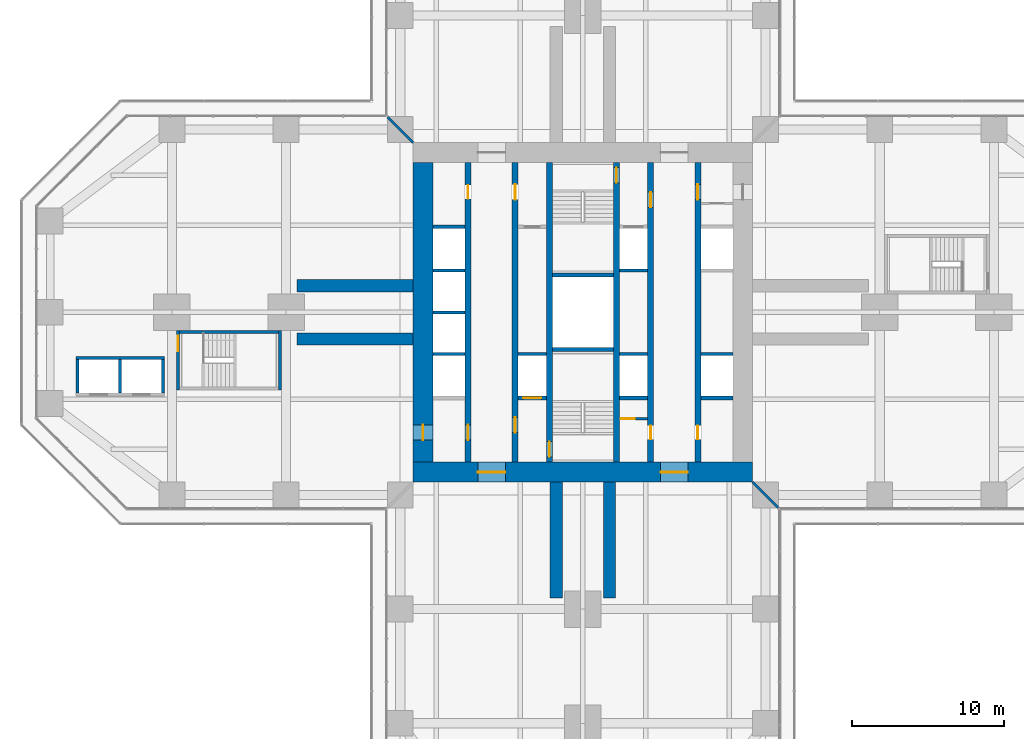
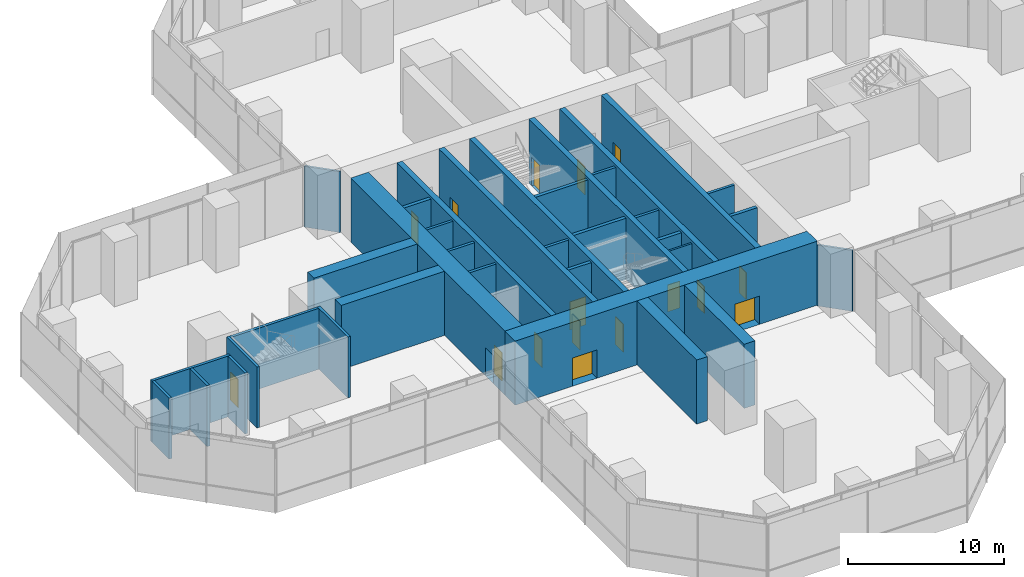
# One storey, part 17 of 23: 35 walls, 16 doors, 16 openings.
"""IFC4 building model written with IfcOpenShell, lengths in metres."""

from ifc_helpers import new_model, si_unit, direction, frame, frame_2d, origin, place, context, subcontext, project, spatial, rectangle, extrude, material, layer, layer_set, type_object, element, fill, save


model = new_model("IFC4")

# Units and contexts
model_context = context("Model", 3, precision=1e-05, world=origin(), true_north=direction((0.0, 1.0)))
body_context = subcontext(model_context, "Body", "Model", "MODEL_VIEW")
ifc_project = project(units=[si_unit("LENGTHUNIT", "METRE"), si_unit("AREAUNIT", "SQUARE_METRE"), si_unit("VOLUMEUNIT", "CUBIC_METRE"), si_unit("PLANEANGLEUNIT", "RADIAN"), si_unit("MASSUNIT", "GRAM", prefix="KILO")], contexts=[model_context])

# Site, building, storey
site_placement = place(None, origin())
site = spatial("IfcSite", under=ifc_project, at=site_placement, CompositionType="ELEMENT")
building_placement = place(site_placement, origin())
building = spatial("IfcBuilding", under=site, at=building_placement, Name="Mizan Broadcast Tower", CompositionType="ELEMENT")
storey_placement = place(building_placement, frame((0.0, 0.0, 28.0)))
storey = spatial("IfcBuildingStorey", under=building, at=storey_placement, Name="L04", CompositionType="ELEMENT", Elevation=28.0)

# Wall, openings, doors
ifc_material_1 = material(Name="Concrete C70/85", Category="concrete")
ifc_layer_1 = layer(ifc_material_1, 0.39990234375)
ifc_layer_set_1 = layer_set([ifc_layer_1], Name="Concrete C70/85")
wall_type_1 = type_object("IfcWallType", Name="CORE INTERNAL WALL 400", PredefinedType="SHEAR", material=ifc_layer_set_1)
wall_1_placement = place(storey_placement, frame((-7.550048828125, -9.85009765625, 0.0), z_axis=(0.0, 0.0, 1.0), x_axis=(0.0, 1.0, 0.0)))
wall_1 = element("IfcWall", 1, at=wall_1_placement, inside=storey, type_object=wall_type_1, Name="Core wall CORE/XW1", PredefinedType="SHEAR", context=body_context, shape_type="SweptSolid", body=[
    extrude(rectangle(XDim=19.7001953125, YDim=0.39990234375, at=frame_2d((9.85009765625, 0.0))), origin(), (0.0, 0.0, 1.0), 5.0),
])
opening_1_placement = place(wall_1_placement, frame((1.449951171875, 0.0, 0.0)))
opening_1 = element("IfcOpeningElement", 2, at=opening_1_placement, cuts=wall_1, Name="Opening D10F", PredefinedType="OPENING", context=body_context, shape_type="SweptSolid", body=[
    extrude(rectangle(XDim=1.0, YDim=2.199951171875, at=frame_2d((0.5, 1.10009765625))), frame((0.0, 0.2099609375, 0.0), z_axis=(0.0, -1.0, 0.0), x_axis=(1.0, 0.0, 0.0)), (0.0, 0.0, 1.0), 0.419921875),
])
opening_2_placement = place(wall_1_placement, frame((17.300048828125, 0.0, 0.0)))
opening_2 = element("IfcOpeningElement", 3, at=opening_2_placement, cuts=wall_1, Name="Opening D09", PredefinedType="OPENING", context=body_context, shape_type="SweptSolid", body=[
    extrude(rectangle(XDim=0.89990234375, YDim=2.10009765625, at=frame_2d((0.449951171875, 1.050048828125))), frame((0.0, 0.2099609375, 0.0), z_axis=(0.0, -1.0, 0.0), x_axis=(1.0, 0.0, 0.0)), (0.0, 0.0, 1.0), 0.419921875),
])
ifc_material_2 = material(Name="Steel door leaf in steel frame", Category="steel")
door_type_1 = type_object("IfcDoorType", Name="FIRE DOOR 1000 FD90", OperationType="SINGLE_SWING_LEFT", PredefinedType="DOOR", material=ifc_material_2)
door_1_placement = place(opening_1_placement, origin())
door_1 = element("IfcDoor", 4, at=door_1_placement, inside=storey, type_object=door_type_1, Name="West core passage door", OperationType="SINGLE_SWING_LEFT", OverallHeight=2.199951171875, OverallWidth=1.0, PredefinedType="DOOR", context=body_context, shape_type="SweptSolid", body=[
    extrude(rectangle(XDim=1.0, YDim=2.199951171875, at=frame_2d((0.5, 1.10009765625))), frame((0.0, 0.02490234375, 0.0), z_axis=(0.0, -1.0, 0.0), x_axis=(1.0, 0.0, 0.0)), (0.0, 0.0, 1.0), 0.050048828125),
])
fill(opening_1, door_1)
ifc_material_3 = material(Name="Timber door leaf in aluminium frame", Category="wood")
door_type_2 = type_object("IfcDoorType", Name="TOILET DOOR 900", OperationType="SINGLE_SWING_LEFT", PredefinedType="DOOR", material=ifc_material_3)
door_2_placement = place(opening_2_placement, origin())
door_2 = element("IfcDoor", 5, at=door_2_placement, inside=storey, type_object=door_type_2, Name="Male WC door", OperationType="SINGLE_SWING_RIGHT", OverallHeight=2.10009765625, OverallWidth=0.89990234375, PredefinedType="DOOR", context=body_context, shape_type="SweptSolid", body=[
    extrude(rectangle(XDim=0.89990234375, YDim=2.10009765625, at=frame_2d((0.449951171875, 1.050048828125))), frame((0.0, 0.02490234375, 0.0), z_axis=(0.0, -1.0, 0.0), x_axis=(1.0, 0.0, 0.0)), (0.0, 0.0, 1.0), 0.050048828125),
])
fill(opening_2, door_2)

wall_2_placement = place(storey_placement, frame((7.550048828125, 9.85009765625, 0.0), z_axis=(0.0, 0.0, 1.0), x_axis=(0.0, -1.0, 0.0)))
wall_2 = element("IfcWall", 6, at=wall_2_placement, inside=storey, type_object=wall_type_1, Name="Core wall CORE/XW1E", PredefinedType="SHEAR", context=body_context, shape_type="SweptSolid", body=[
    extrude(rectangle(XDim=19.7001953125, YDim=0.39990234375, at=frame_2d((9.85009765625, 0.0))), origin(), (0.0, 0.0, 1.0), 5.0),
])
opening_3_placement = place(wall_2_placement, frame((1.449951171875, 0.0, 0.0)))
opening_3 = element("IfcOpeningElement", 7, at=opening_3_placement, cuts=wall_2, Name="Opening D10F", PredefinedType="OPENING", context=body_context, shape_type="SweptSolid", body=[
    extrude(rectangle(XDim=1.0, YDim=2.199951171875, at=frame_2d((0.5, 1.10009765625))), frame((0.0, 0.2099609375, 0.0), z_axis=(0.0, -1.0, 0.0), x_axis=(1.0, 0.0, 0.0)), (0.0, 0.0, 1.0), 0.419921875),
])
opening_4_placement = place(wall_2_placement, frame((17.300048828125, 0.0, 0.0)))
opening_4 = element("IfcOpeningElement", 8, at=opening_4_placement, cuts=wall_2, Name="Opening D09", PredefinedType="OPENING", context=body_context, shape_type="SweptSolid", body=[
    extrude(rectangle(XDim=0.89990234375, YDim=2.10009765625, at=frame_2d((0.449951171875, 1.050048828125))), frame((0.0, 0.2099609375, 0.0), z_axis=(0.0, -1.0, 0.0), x_axis=(1.0, 0.0, 0.0)), (0.0, 0.0, 1.0), 0.419921875),
])
door_3_placement = place(opening_3_placement, origin())
door_3 = element("IfcDoor", 9, at=door_3_placement, inside=storey, type_object=door_type_1, Name="East core passage door", OperationType="SINGLE_SWING_LEFT", OverallHeight=2.199951171875, OverallWidth=1.0, PredefinedType="DOOR", context=body_context, shape_type="SweptSolid", body=[
    extrude(rectangle(XDim=1.0, YDim=2.199951171875, at=frame_2d((0.5, 1.10009765625))), frame((0.0, 0.02490234375, 0.0), z_axis=(0.0, -1.0, 0.0), x_axis=(1.0, 0.0, 0.0)), (0.0, 0.0, 1.0), 0.050048828125),
])
fill(opening_3, door_3)
door_4_placement = place(opening_4_placement, origin())
door_4 = element("IfcDoor", 10, at=door_4_placement, inside=storey, type_object=door_type_2, Name="Female WC door", OperationType="SINGLE_SWING_RIGHT", OverallHeight=2.10009765625, OverallWidth=0.89990234375, PredefinedType="DOOR", context=body_context, shape_type="SweptSolid", body=[
    extrude(rectangle(XDim=0.89990234375, YDim=2.10009765625, at=frame_2d((0.449951171875, 1.050048828125))), frame((0.0, 0.02490234375, 0.0), z_axis=(0.0, -1.0, 0.0), x_axis=(1.0, 0.0, 0.0)), (0.0, 0.0, 1.0), 0.050048828125),
])
fill(opening_4, door_4)

wall_3_placement = place(storey_placement, frame((-4.449951171875, -9.85009765625, 0.0), z_axis=(0.0, 0.0, 1.0), x_axis=(0.0, 1.0, 0.0)))
wall_3 = element("IfcWall", 11, at=wall_3_placement, inside=storey, type_object=wall_type_1, Name="Core wall CORE/XWH", PredefinedType="SHEAR", context=body_context, shape_type="SweptSolid", body=[
    extrude(rectangle(XDim=19.7001953125, YDim=0.39990234375, at=frame_2d((9.85009765625, 0.0))), origin(), (0.0, 0.0, 1.0), 5.0),
])
opening_5_placement = place(wall_3_placement, frame((1.949951171875, 0.0, 0.0)))
opening_5 = element("IfcOpeningElement", 12, at=opening_5_placement, cuts=wall_3, Name="Opening D10F", PredefinedType="OPENING", context=body_context, shape_type="SweptSolid", body=[
    extrude(rectangle(XDim=1.0, YDim=2.199951171875, at=frame_2d((0.5, 1.10009765625))), frame((0.0, 0.2099609375, 0.0), z_axis=(0.0, -1.0, 0.0), x_axis=(1.0, 0.0, 0.0)), (0.0, 0.0, 1.0), 0.419921875),
])
opening_6_placement = place(wall_3_placement, frame((17.25, 0.0, 0.0)))
opening_6 = element("IfcOpeningElement", 13, at=opening_6_placement, cuts=wall_3, Name="Opening D10A", PredefinedType="OPENING", context=body_context, shape_type="SweptSolid", body=[
    extrude(rectangle(XDim=1.0, YDim=2.10009765625, at=frame_2d((0.5, 1.050048828125))), frame((0.0, 0.2099609375, 0.0), z_axis=(0.0, -1.0, 0.0), x_axis=(1.0, 0.0, 0.0)), (0.0, 0.0, 1.0), 0.419921875),
])
ifc_material_4 = material(Name="Timber door leaf in aluminium frame", Category="wood")
door_type_3 = type_object("IfcDoorType", Name="ACCESSIBLE WC DOOR 1000", OperationType="SLIDING_TO_LEFT", PredefinedType="DOOR", material=ifc_material_4)
door_5_placement = place(opening_6_placement, origin())
door_5 = element("IfcDoor", 14, at=door_5_placement, inside=storey, type_object=door_type_3, Name="Accessible WC door", OperationType="SLIDING_TO_LEFT", OverallHeight=2.10009765625, OverallWidth=1.0, PredefinedType="DOOR", context=body_context, shape_type="SweptSolid", body=[
    extrude(rectangle(XDim=1.0, YDim=2.10009765625, at=frame_2d((0.5, 1.050048828125))), frame((0.0, 0.02490234375, 0.0), z_axis=(0.0, -1.0, 0.0), x_axis=(1.0, 0.0, 0.0)), (0.0, 0.0, 1.0), 0.050048828125),
])
fill(opening_6, door_5)
door_6_placement = place(opening_5_placement, origin())
door_6 = element("IfcDoor", 15, at=door_6_placement, inside=storey, type_object=door_type_1, Name="Firefighting lobby A door", OperationType="SINGLE_SWING_LEFT", OverallHeight=2.199951171875, OverallWidth=1.0, PredefinedType="DOOR", context=body_context, shape_type="SweptSolid", body=[
    extrude(rectangle(XDim=1.0, YDim=2.199951171875, at=frame_2d((0.5, 1.10009765625))), frame((0.0, 0.02490234375, 0.0), z_axis=(0.0, -1.0, 0.0), x_axis=(1.0, 0.0, 0.0)), (0.0, 0.0, 1.0), 0.050048828125),
])
fill(opening_5, door_6)

wall_4_placement = place(storey_placement, frame((4.449951171875, 9.85009765625, 0.0), z_axis=(0.0, 0.0, 1.0), x_axis=(0.0, -1.0, 0.0)))
wall_4 = element("IfcWall", 16, at=wall_4_placement, inside=storey, type_object=wall_type_1, Name="Core wall CORE/XWHE", PredefinedType="SHEAR", context=body_context, shape_type="SweptSolid", body=[
    extrude(rectangle(XDim=19.7001953125, YDim=0.39990234375, at=frame_2d((9.85009765625, 0.0))), origin(), (0.0, 0.0, 1.0), 5.0),
])
opening_7_placement = place(wall_4_placement, frame((1.949951171875, 0.0, 0.0)))
opening_7 = element("IfcOpeningElement", 17, at=opening_7_placement, cuts=wall_4, Name="Opening D10F", PredefinedType="OPENING", context=body_context, shape_type="SweptSolid", body=[
    extrude(rectangle(XDim=1.0, YDim=2.199951171875, at=frame_2d((0.5, 1.10009765625))), frame((0.0, 0.2099609375, 0.0), z_axis=(0.0, -1.0, 0.0), x_axis=(1.0, 0.0, 0.0)), (0.0, 0.0, 1.0), 0.419921875),
])
opening_8_placement = place(wall_4_placement, frame((17.300048828125, 0.0, 0.0)))
opening_8 = element("IfcOpeningElement", 18, at=opening_8_placement, cuts=wall_4, Name="Opening D09", PredefinedType="OPENING", context=body_context, shape_type="SweptSolid", body=[
    extrude(rectangle(XDim=0.89990234375, YDim=2.10009765625, at=frame_2d((0.449951171875, 1.050048828125))), frame((0.0, 0.2099609375, 0.0), z_axis=(0.0, -1.0, 0.0), x_axis=(1.0, 0.0, 0.0)), (0.0, 0.0, 1.0), 0.419921875),
])
door_7_placement = place(opening_7_placement, origin())
door_7 = element("IfcDoor", 19, at=door_7_placement, inside=storey, type_object=door_type_1, Name="Firefighting lobby B door", OperationType="SINGLE_SWING_LEFT", OverallHeight=2.199951171875, OverallWidth=1.0, PredefinedType="DOOR", context=body_context, shape_type="SweptSolid", body=[
    extrude(rectangle(XDim=1.0, YDim=2.199951171875, at=frame_2d((0.5, 1.10009765625))), frame((0.0, 0.02490234375, 0.0), z_axis=(0.0, -1.0, 0.0), x_axis=(1.0, 0.0, 0.0)), (0.0, 0.0, 1.0), 0.050048828125),
])
fill(opening_7, door_7)
door_8_placement = place(opening_8_placement, origin())
door_8 = element("IfcDoor", 20, at=door_8_placement, inside=storey, type_object=door_type_2, Name="Cleaner's store door", OperationType="SINGLE_SWING_RIGHT", OverallHeight=2.10009765625, OverallWidth=0.89990234375, PredefinedType="DOOR", context=body_context, shape_type="SweptSolid", body=[
    extrude(rectangle(XDim=0.89990234375, YDim=2.10009765625, at=frame_2d((0.449951171875, 1.050048828125))), frame((0.0, 0.02490234375, 0.0), z_axis=(0.0, -1.0, 0.0), x_axis=(1.0, 0.0, 0.0)), (0.0, 0.0, 1.0), 0.050048828125),
])
fill(opening_8, door_8)

# Wall, opening, door
wall_5_placement = place(storey_placement, frame((-2.199951171875, -9.85009765625, 0.0), z_axis=(0.0, 0.0, 1.0), x_axis=(0.0, 1.0, 0.0)))
wall_5 = element("IfcWall", 21, at=wall_5_placement, inside=storey, type_object=wall_type_1, Name="Core wall CORE/XW2", PredefinedType="SHEAR", context=body_context, shape_type="SweptSolid", body=[
    extrude(rectangle(XDim=19.7001953125, YDim=0.39990234375, at=frame_2d((9.85009765625, 0.0))), origin(), (0.0, 0.0, 1.0), 5.0),
])
opening_9_placement = place(wall_5_placement, frame((0.35009765625, 0.0, 0.0)))
opening_9 = element("IfcOpeningElement", 22, at=opening_9_placement, cuts=wall_5, Name="Opening D10S", PredefinedType="OPENING", context=body_context, shape_type="SweptSolid", body=[
    extrude(rectangle(XDim=1.0, YDim=2.199951171875, at=frame_2d((0.5, 1.10009765625))), frame((0.0, 0.2099609375, 0.0), z_axis=(0.0, -1.0, 0.0), x_axis=(1.0, 0.0, 0.0)), (0.0, 0.0, 1.0), 0.419921875),
])
ifc_material_5 = material(Name="Steel door leaf in steel frame", Category="steel")
door_type_4 = type_object("IfcDoorType", Name="STAIR DOOR 1000 FD90S", OperationType="SINGLE_SWING_RIGHT", PredefinedType="DOOR", material=ifc_material_5)
door_9_placement = place(opening_9_placement, origin())
door_9 = element("IfcDoor", 23, at=door_9_placement, inside=storey, type_object=door_type_4, Name="Stair A door", OperationType="SINGLE_SWING_RIGHT", OverallHeight=2.199951171875, OverallWidth=1.0, PredefinedType="DOOR", context=body_context, shape_type="SweptSolid", body=[
    extrude(rectangle(XDim=1.0, YDim=2.199951171875, at=frame_2d((0.5, 1.10009765625))), frame((0.0, 0.02490234375, 0.0), z_axis=(0.0, -1.0, 0.0), x_axis=(1.0, 0.0, 0.0)), (0.0, 0.0, 1.0), 0.050048828125),
])
fill(opening_9, door_9)

wall_6_placement = place(storey_placement, frame((2.199951171875, 9.85009765625, 0.0), z_axis=(0.0, 0.0, 1.0), x_axis=(0.0, -1.0, 0.0)))
wall_6 = element("IfcWall", 24, at=wall_6_placement, inside=storey, type_object=wall_type_1, Name="Core wall CORE/XW2E", PredefinedType="SHEAR", context=body_context, shape_type="SweptSolid", body=[
    extrude(rectangle(XDim=19.7001953125, YDim=0.39990234375, at=frame_2d((9.85009765625, 0.0))), origin(), (0.0, 0.0, 1.0), 5.0),
])
opening_10_placement = place(wall_6_placement, frame((0.35009765625, 0.0, 0.0)))
opening_10 = element("IfcOpeningElement", 25, at=opening_10_placement, cuts=wall_6, Name="Opening D10S", PredefinedType="OPENING", context=body_context, shape_type="SweptSolid", body=[
    extrude(rectangle(XDim=1.0, YDim=2.199951171875, at=frame_2d((0.5, 1.10009765625))), frame((0.0, 0.2099609375, 0.0), z_axis=(0.0, -1.0, 0.0), x_axis=(1.0, 0.0, 0.0)), (0.0, 0.0, 1.0), 0.419921875),
])
door_10_placement = place(opening_10_placement, origin())
door_10 = element("IfcDoor", 26, at=door_10_placement, inside=storey, type_object=door_type_4, Name="Stair B door", OperationType="SINGLE_SWING_RIGHT", OverallHeight=2.199951171875, OverallWidth=1.0, PredefinedType="DOOR", context=body_context, shape_type="SweptSolid", body=[
    extrude(rectangle(XDim=1.0, YDim=2.199951171875, at=frame_2d((0.5, 1.10009765625))), frame((0.0, 0.02490234375, 0.0), z_axis=(0.0, -1.0, 0.0), x_axis=(1.0, 0.0, 0.0)), (0.0, 0.0, 1.0), 0.050048828125),
])
fill(opening_10, door_10)

ifc_material_6 = material(Name="Concrete blockwork", Category="masonry")
ifc_layer_2 = layer(ifc_material_6, 0.14990234375)
ifc_layer_set_2 = layer_set([ifc_layer_2], Name="Concrete blockwork")
wall_type_2 = type_object("IfcWallType", Name="CORE PARTITION 150", PredefinedType="SOLIDWALL", material=ifc_layer_set_2)
wall_7_placement = place(storey_placement, frame((2.39990234375, -7.0, 0.0), z_axis=(0.0, 0.0, 1.0), x_axis=(1.0, 0.0, 0.0)))
wall_7 = element("IfcWall", 27, at=wall_7_placement, inside=storey, type_object=wall_type_2, Name="Core partition CORE/XPC", PredefinedType="SOLIDWALL", context=body_context, shape_type="SweptSolid", body=[
    extrude(rectangle(XDim=1.85009765625, YDim=0.14990234375, at=frame_2d((0.925048828125, 0.0))), origin(), (0.0, 0.0, 1.0), 4.75),
])
opening_11_placement = place(wall_7_placement, frame((0.10009765625, 0.0, 0.0)))
opening_11 = element("IfcOpeningElement", 28, at=opening_11_placement, cuts=wall_7, Name="Opening D09F", PredefinedType="OPENING", context=body_context, shape_type="SweptSolid", body=[
    extrude(rectangle(XDim=0.89990234375, YDim=2.10009765625, at=frame_2d((0.449951171875, 1.050048828125))), frame((0.0, 0.0849609375, 0.0), z_axis=(0.0, -1.0, 0.0), x_axis=(1.0, 0.0, 0.0)), (0.0, 0.0, 1.0), 0.169921875),
])
ifc_material_7 = material(Name="Steel door leaf in steel frame", Category="steel")
door_type_5 = type_object("IfcDoorType", Name="CORE ROOM DOOR 900 FD90", OperationType="SINGLE_SWING_LEFT", PredefinedType="DOOR", material=ifc_material_7)
door_11_placement = place(opening_11_placement, origin())
door_11 = element("IfcDoor", 29, at=door_11_placement, inside=storey, type_object=door_type_5, Name="Cleaning materials store door", OperationType="SINGLE_SWING_LEFT", OverallHeight=2.10009765625, OverallWidth=0.89990234375, PredefinedType="DOOR", context=body_context, shape_type="SweptSolid", body=[
    extrude(rectangle(XDim=0.89990234375, YDim=2.10009765625, at=frame_2d((0.449951171875, 1.050048828125))), frame((0.0, 0.02490234375, 0.0), z_axis=(0.0, -1.0, 0.0), x_axis=(1.0, 0.0, 0.0)), (0.0, 0.0, 1.0), 0.050048828125),
])
fill(opening_11, door_11)

# Wall, openings, doors
ifc_material_8 = material(Name="Concrete C70/85", Category="concrete")
ifc_layer_3 = layer(ifc_material_8, 1.300048828125)
ifc_layer_set_3 = layer_set([ifc_layer_3], Name="Concrete C70/85")
wall_type_3 = type_object("IfcWallType", Name="CORE WALL 1300", PredefinedType="SHEAR", material=ifc_layer_set_3)
wall_8_placement = place(storey_placement, frame((11.14990234375, -10.5, 0.0), z_axis=(0.0, 0.0, 1.0), x_axis=(-1.0, 0.0, 0.0)))
wall_8 = element("IfcWall", 30, at=wall_8_placement, inside=storey, type_object=wall_type_3, Name="Core wall S L04", PredefinedType="SHEAR", context=body_context, shape_type="SweptSolid", body=[
    extrude(rectangle(XDim=22.2998046875, YDim=1.300048828125, at=frame_2d((11.14990234375, 0.0))), origin(), (0.0, 0.0, 1.0), 5.0),
])
opening_12_placement = place(wall_8_placement, frame((16.25, 0.0, 0.0)))
opening_12 = element("IfcOpeningElement", 31, at=opening_12_placement, cuts=wall_8, Name="Opening D18F", PredefinedType="OPENING", context=body_context, shape_type="SweptSolid", body=[
    extrude(rectangle(XDim=1.800048828125, YDim=2.199951171875, at=frame_2d((0.89990234375, 1.10009765625))), frame((0.0, 0.659912109375, 0.0), z_axis=(0.0, -1.0, 0.0), x_axis=(1.0, 0.0, 0.0)), (0.0, 0.0, 1.0), 1.320068359375),
])
opening_13_placement = place(wall_8_placement, frame((4.25, 0.0, 0.0)))
opening_13 = element("IfcOpeningElement", 32, at=opening_13_placement, cuts=wall_8, Name="Opening D18F", PredefinedType="OPENING", context=body_context, shape_type="SweptSolid", body=[
    extrude(rectangle(XDim=1.800048828125, YDim=2.199951171875, at=frame_2d((0.89990234375, 1.10009765625))), frame((0.0, 0.659912109375, 0.0), z_axis=(0.0, -1.0, 0.0), x_axis=(1.0, 0.0, 0.0)), (0.0, 0.0, 1.0), 1.320068359375),
])
ifc_material_9 = material(Name="Steel door leaf in steel frame", Category="steel")
door_type_6 = type_object("IfcDoorType", Name="LOBBY DOUBLE DOOR 1800 FD90", OperationType="DOUBLE_DOOR_DOUBLE_SWING", PredefinedType="DOOR", material=ifc_material_9)
door_12_placement = place(opening_12_placement, origin())
door_12 = element("IfcDoor", 33, at=door_12_placement, inside=storey, type_object=door_type_6, Name="West lift lobby south door", OperationType="DOUBLE_DOOR_DOUBLE_SWING", OverallHeight=2.199951171875, OverallWidth=1.800048828125, PredefinedType="DOOR", context=body_context, shape_type="SweptSolid", body=[
    extrude(rectangle(XDim=1.800048828125, YDim=2.199951171875, at=frame_2d((0.89990234375, 1.10009765625))), frame((0.0, 0.02490234375, 0.0), z_axis=(0.0, -1.0, 0.0), x_axis=(1.0, 0.0, 0.0)), (0.0, 0.0, 1.0), 0.050048828125),
])
fill(opening_12, door_12)
door_13_placement = place(opening_13_placement, origin())
door_13 = element("IfcDoor", 34, at=door_13_placement, inside=storey, type_object=door_type_6, Name="East lift lobby south door", OperationType="DOUBLE_DOOR_DOUBLE_SWING", OverallHeight=2.199951171875, OverallWidth=1.800048828125, PredefinedType="DOOR", context=body_context, shape_type="SweptSolid", body=[
    extrude(rectangle(XDim=1.800048828125, YDim=2.199951171875, at=frame_2d((0.89990234375, 1.10009765625))), frame((0.0, 0.02490234375, 0.0), z_axis=(0.0, -1.0, 0.0), x_axis=(1.0, 0.0, 0.0)), (0.0, 0.0, 1.0), 0.050048828125),
])
fill(opening_13, door_13)

# Wall, opening, door
wall_9_placement = place(storey_placement, frame((-10.5, 9.85009765625, 0.0), z_axis=(0.0, 0.0, 1.0), x_axis=(0.0, -1.0, 0.0)))
wall_9 = element("IfcWall", 35, at=wall_9_placement, inside=storey, type_object=wall_type_3, Name="Core wall W L04", PredefinedType="SHEAR", context=body_context, shape_type="SweptSolid", body=[
    extrude(rectangle(XDim=19.7001953125, YDim=1.300048828125, at=frame_2d((9.85009765625, 0.0))), origin(), (0.0, 0.0, 1.0), 5.0),
])
opening_14_placement = place(wall_9_placement, frame((17.25, 0.0, 0.0)))
opening_14 = element("IfcOpeningElement", 36, at=opening_14_placement, cuts=wall_9, Name="Opening D10F", PredefinedType="OPENING", context=body_context, shape_type="SweptSolid", body=[
    extrude(rectangle(XDim=1.0, YDim=2.199951171875, at=frame_2d((0.5, 1.10009765625))), frame((0.0, 0.659912109375, 0.0), z_axis=(0.0, -1.0, 0.0), x_axis=(1.0, 0.0, 0.0)), (0.0, 0.0, 1.0), 1.320068359375),
])
door_14_placement = place(opening_14_placement, origin())
door_14 = element("IfcDoor", 37, at=door_14_placement, inside=storey, type_object=door_type_1, Name="West core passage arm door", OperationType="SINGLE_SWING_RIGHT", OverallHeight=2.199951171875, OverallWidth=1.0, PredefinedType="DOOR", context=body_context, shape_type="SweptSolid", body=[
    extrude(rectangle(XDim=1.0, YDim=2.199951171875, at=frame_2d((0.5, 1.10009765625))), frame((0.0, 0.02490234375, 0.0), z_axis=(0.0, -1.0, 0.0), x_axis=(1.0, 0.0, 0.0)), (0.0, 0.0, 1.0), 0.050048828125),
])
fill(opening_14, door_14)

# Walls
ifc_material_10 = material(Name="Concrete blockwork", Category="masonry")
ifc_layer_4 = layer(ifc_material_10, 0.199951171875)
ifc_layer_set_4 = layer_set([ifc_layer_4], Name="Concrete blockwork")
wall_type_4 = type_object("IfcWallType", Name="LIFT SHAFT WALL 200", PredefinedType="SOLIDWALL", material=ifc_layer_set_4)
wall_10_placement = place(storey_placement, frame((-9.85009765625, -2.75, 0.0), z_axis=(0.0, 0.0, 1.0), x_axis=(1.0, 0.0, 0.0)))
element("IfcWall", 38, at=wall_10_placement, inside=storey, type_object=wall_type_4, Name="Lift shaft wall CORE/SW1-1", PredefinedType="SOLIDWALL", context=body_context, shape_type="SweptSolid", body=[
    extrude(rectangle(XDim=2.10009765625, YDim=0.199951171875, at=frame_2d((1.050048828125, 0.0))), origin(), (0.0, 0.0, 1.0), 4.800048828125),
])
for number, where, z_axis, x_axis, name in (
    (39, (-4.25, -2.75, 0.0), (0.0, 0.0, 1.0), (1.0, 0.0, 0.0), "Lift shaft wall CORE/SW2-1"),
    (40, (2.39990234375, -2.75, 0.0), (0.0, 0.0, 1.0), (1.0, 0.0, 0.0), "Lift shaft wall CORE/SE2-1"),
):
    element("IfcWall", number, at=place(storey_placement, frame(where, z_axis=z_axis, x_axis=x_axis)), inside=storey, type_object=wall_type_4, Name=name, PredefinedType="SOLIDWALL", context=body_context, shape_type="SweptSolid", body=[
        extrude(rectangle(XDim=1.85009765625, YDim=0.199951171875, at=frame_2d((0.925048828125, 0.0))), origin(), (0.0, 0.0, 1.0), 4.800048828125),
    ])
for number, where, z_axis, x_axis, name in (
    (41, (7.75, -2.75, 0.0), (0.0, 0.0, 1.0), (1.0, 0.0, 0.0), "Lift shaft wall CORE/SE1-1"),
    (42, (-9.85009765625, 0.0, 0.0), (0.0, 0.0, 1.0), (1.0, 0.0, 0.0), "Lift shaft wall CORE/SW1-2"),
    (43, (-9.85009765625, 2.75, 0.0), (0.0, 0.0, 1.0), (1.0, 0.0, 0.0), "Lift shaft wall CORE/SW1-3"),
):
    element("IfcWall", number, at=place(storey_placement, frame(where, z_axis=z_axis, x_axis=x_axis)), inside=storey, type_object=wall_type_4, Name=name, PredefinedType="SOLIDWALL", context=body_context, shape_type="SweptSolid", body=[
        extrude(rectangle(XDim=2.10009765625, YDim=0.199951171875, at=frame_2d((1.050048828125, 0.0))), origin(), (0.0, 0.0, 1.0), 4.800048828125),
    ])
wall_11_placement = place(storey_placement, frame((2.39990234375, 2.75, 0.0), z_axis=(0.0, 0.0, 1.0), x_axis=(1.0, 0.0, 0.0)))
element("IfcWall", 44, at=wall_11_placement, inside=storey, type_object=wall_type_4, Name="Lift shaft wall CORE/SE2-3", PredefinedType="SOLIDWALL", context=body_context, shape_type="SweptSolid", body=[
    extrude(rectangle(XDim=1.85009765625, YDim=0.199951171875, at=frame_2d((0.925048828125, 0.0))), origin(), (0.0, 0.0, 1.0), 4.800048828125),
])
wall_12_placement = place(storey_placement, frame((-27.5, -3.0, 0.0), z_axis=(0.0, 0.0, 1.0), x_axis=(-1.0, 0.0, 0.0)))
element("IfcWall", 45, at=wall_12_placement, inside=storey, type_object=wall_type_4, Name="Lift shaft wall PLS/V0", PredefinedType="SOLIDWALL", context=body_context, shape_type="SweptSolid", body=[
    extrude(rectangle(XDim=5.800048828125, YDim=0.199951171875, at=frame_2d((2.89990234375, 0.0))), origin(), (0.0, 0.0, 1.0), 4.75),
])
for number, where, z_axis, x_axis, name in (
    (46, (-27.60009765625, -3.10009765625, 0.0), (0.0, 0.0, 1.0), (0.0, -1.0, 0.0), "Lift shaft wall PLS/U0"),
    (47, (-30.39990234375, -3.10009765625, 0.0), (0.0, 0.0, 1.0), (0.0, -1.0, 0.0), "Lift shaft wall PLS/U1"),
    (48, (-33.199951171875, -3.10009765625, 0.0), (0.0, 0.0, 1.0), (0.0, -1.0, 0.0), "Lift shaft wall PLS/U2"),
):
    element("IfcWall", number, at=place(storey_placement, frame(where, z_axis=z_axis, x_axis=x_axis)), inside=storey, type_object=wall_type_4, Name=name, PredefinedType="SOLIDWALL", context=body_context, shape_type="SweptSolid", body=[
        extrude(rectangle(XDim=2.199951171875, YDim=0.199951171875, at=frame_2d((1.10009765625, 0.0))), origin(), (0.0, 0.0, 1.0), 4.75),
    ])
ifc_material_11 = material(Name="Concrete blockwork", Category="masonry")
ifc_layer_5 = layer(ifc_material_11, 0.25)
ifc_layer_set_5 = layer_set([ifc_layer_5], Name="Concrete blockwork")
wall_type_5 = type_object("IfcWallType", Name="LOBBY ENCLOSURE WALL 250", PredefinedType="SOLIDWALL", material=ifc_layer_set_5)
wall_13_placement = place(storey_placement, frame((-9.85009765625, 5.625, 0.0), z_axis=(0.0, 0.0, 1.0), x_axis=(1.0, 0.0, 0.0)))
element("IfcWall", 49, at=wall_13_placement, inside=storey, type_object=wall_type_5, Name="Lobby enclosure wall CORE/BW1N", PredefinedType="SOLIDWALL", context=body_context, shape_type="SweptSolid", body=[
    extrude(rectangle(XDim=2.10009765625, YDim=0.25, at=frame_2d((1.050048828125, 0.0))), origin(), (0.0, 0.0, 1.0), 4.800048828125),
])

# Wall, opening, door
wall_14_placement = place(storey_placement, frame((-4.25, -5.625, 0.0), z_axis=(0.0, 0.0, 1.0), x_axis=(1.0, 0.0, 0.0)))
wall_14 = element("IfcWall", 50, at=wall_14_placement, inside=storey, type_object=wall_type_5, Name="Lobby enclosure wall CORE/BW2S", PredefinedType="SOLIDWALL", context=body_context, shape_type="SweptSolid", body=[
    extrude(rectangle(XDim=1.85009765625, YDim=0.25, at=frame_2d((0.925048828125, 0.0))), origin(), (0.0, 0.0, 1.0), 4.800048828125),
])
opening_15_placement = place(wall_14_placement, frame((0.324951171875, 0.0, 0.0)))
opening_15 = element("IfcOpeningElement", 51, at=opening_15_placement, cuts=wall_14, Name="Opening LDF", PredefinedType="OPENING", context=body_context, shape_type="SweptSolid", body=[
    extrude(rectangle(XDim=1.199951171875, YDim=2.199951171875, at=frame_2d((0.60009765625, 1.10009765625))), frame((0.0, 0.135009765625, 0.0), z_axis=(0.0, -1.0, 0.0), x_axis=(1.0, 0.0, 0.0)), (0.0, 0.0, 1.0), 0.27001953125),
])
ifc_material_12 = material(Name="Steel door leaf in steel frame", Category="steel")
door_type_7 = type_object("IfcDoorType", Name="FIREFIGHTING LIFT LANDING DOOR 1200", OperationType="SLIDING_TO_LEFT", PredefinedType="DOOR", material=ifc_material_12)
door_15_placement = place(opening_15_placement, origin())
door_15 = element("IfcDoor", 52, at=door_15_placement, inside=storey, type_object=door_type_7, Name="Landing door FF1", OperationType="SLIDING_TO_LEFT", OverallHeight=2.199951171875, OverallWidth=1.199951171875, PredefinedType="DOOR", context=body_context, shape_type="SweptSolid", body=[
    extrude(rectangle(XDim=1.199951171875, YDim=2.199951171875, at=frame_2d((0.60009765625, 1.10009765625))), frame((0.0, 0.02490234375, 0.0), z_axis=(0.0, -1.0, 0.0), x_axis=(1.0, 0.0, 0.0)), (0.0, 0.0, 1.0), 0.050048828125),
])
fill(opening_15, door_15)

# Walls
wall_15_placement = place(storey_placement, frame((2.39990234375, -5.625, 0.0), z_axis=(0.0, 0.0, 1.0), x_axis=(1.0, 0.0, 0.0)))
element("IfcWall", 53, at=wall_15_placement, inside=storey, type_object=wall_type_5, Name="Lobby enclosure wall CORE/BE2S", PredefinedType="SOLIDWALL", context=body_context, shape_type="SweptSolid", body=[
    extrude(rectangle(XDim=1.85009765625, YDim=0.25, at=frame_2d((0.925048828125, 0.0))), origin(), (0.0, 0.0, 1.0), 4.800048828125),
])
wall_16_placement = place(storey_placement, frame((7.75, -5.625, 0.0), z_axis=(0.0, 0.0, 1.0), x_axis=(1.0, 0.0, 0.0)))
element("IfcWall", 54, at=wall_16_placement, inside=storey, type_object=wall_type_5, Name="Lobby enclosure wall CORE/BE1S", PredefinedType="SOLIDWALL", context=body_context, shape_type="SweptSolid", body=[
    extrude(rectangle(XDim=2.10009765625, YDim=0.25, at=frame_2d((1.050048828125, 0.0))), origin(), (0.0, 0.0, 1.0), 4.800048828125),
])
for number, where, z_axis, x_axis, name in (
    (55, (-2.0, -2.449951171875, 0.0), (0.0, 0.0, 1.0), (1.0, 0.0, 0.0), "Lobby enclosure wall CORE/STA"),
    (56, (-2.0, 2.449951171875, 0.0), (0.0, 0.0, 1.0), (1.0, 0.0, 0.0), "Lobby enclosure wall CORE/STB"),
):
    element("IfcWall", number, at=place(storey_placement, frame(where, z_axis=z_axis, x_axis=x_axis)), inside=storey, type_object=wall_type_5, Name=name, PredefinedType="SOLIDWALL", context=body_context, shape_type="SweptSolid", body=[
        extrude(rectangle(XDim=4.0, YDim=0.25, at=frame_2d((2.0, 0.0))), origin(), (0.0, 0.0, 1.0), 4.800048828125),
    ])
ifc_material_13 = material(Name="Gypsum board on steel studs", Category="steel")
ifc_layer_6 = layer(ifc_material_13, 0.14990234375)
ifc_layer_set_6 = layer_set([ifc_layer_6], Name="Gypsum board on steel studs")
wall_type_6 = type_object("IfcWallType", Name="PARTITION 150", PredefinedType="PARTITIONING", material=ifc_layer_set_6)
for number, where, z_axis, x_axis, name in (
    (57, (-11.14990234375, 11.14990234375, 0.0), (0.0, 0.0, 1.0), (-0.707106781187, 0.707106781187, 0.0), "Partition PT/DGWN"),
    (58, (11.14990234375, -11.14990234375, 0.0), (0.0, 0.0, 1.0), (0.707106781187, -0.707106781187, 0.0), "Partition PT/DGES"),
):
    element("IfcWall", number, at=place(storey_placement, frame(where, z_axis=z_axis, x_axis=x_axis)), inside=storey, type_object=wall_type_6, Name=name, PredefinedType="PARTITIONING", context=body_context, shape_type="SweptSolid", body=[
        extrude(rectangle(XDim=2.362060546875, YDim=0.14990234375, at=frame_2d((1.18115234375, 0.0))), origin(), (0.0, 0.0, 1.0), 4.75),
    ])
ifc_material_14 = material(Name="Concrete C70/85", Category="concrete")
ifc_layer_7 = layer(ifc_material_14, 0.800048828125)
ifc_layer_set_7 = layer_set([ifc_layer_7], Name="Concrete C70/85")
wall_type_7 = type_object("IfcWallType", Name="SPINE WALL 800", PredefinedType="SHEAR", material=ifc_layer_set_7)
for number, where, z_axis, x_axis, name in (
    (59, (-11.14990234375, 1.75, 0.0), (0.0, 0.0, 1.0), (-1.0, 0.0, 0.0), "Spine wall WR L04"),
    (60, (-11.14990234375, -1.75, 0.0), (0.0, 0.0, 1.0), (-1.0, 0.0, 0.0), "Spine wall WL L04"),
    (61, (-1.75, -11.14990234375, 0.0), (0.0, 0.0, 1.0), (0.0, -1.0, 0.0), "Spine wall SR L04"),
    (62, (1.75, -11.14990234375, 0.0), (0.0, 0.0, 1.0), (0.0, -1.0, 0.0), "Spine wall SL L04"),
):
    element("IfcWall", number, at=place(storey_placement, frame(where, z_axis=z_axis, x_axis=x_axis)), inside=storey, type_object=wall_type_7, Name=name, PredefinedType="SHEAR", context=body_context, shape_type="SweptSolid", body=[
        extrude(rectangle(XDim=7.625, YDim=0.800048828125, at=frame_2d((3.8125, 0.0))), origin(), (0.0, 0.0, 1.0), 5.0),
    ])
ifc_material_15 = material(Name="Concrete C40/50", Category="concrete")
ifc_layer_8 = layer(ifc_material_15, 0.199951171875)
ifc_layer_set_8 = layer_set([ifc_layer_8], Name="Concrete C40/50")
wall_type_8 = type_object("IfcWallType", Name="STAIR SHAFT WALL 200 RC", PredefinedType="SOLIDWALL", material=ifc_layer_set_8)
wall_17_placement = place(storey_placement, frame((-19.89990234375, -1.199951171875, 0.0), z_axis=(0.0, 0.0, 1.0), x_axis=(0.0, -1.0, 0.0)))
element("IfcWall", 63, at=wall_17_placement, inside=storey, type_object=wall_type_8, Name="Stair shaft wall PS/W/U0", PredefinedType="SOLIDWALL", context=body_context, shape_type="SweptSolid", body=[
    extrude(rectangle(XDim=3.900146484375, YDim=0.199951171875, at=frame_2d((1.9501953125, 0.0))), origin(), (0.0, 0.0, 1.0), 4.75),
])

# Wall, opening, door
wall_18_placement = place(storey_placement, frame((-26.60009765625, -5.10009765625, 0.0), z_axis=(0.0, 0.0, 1.0), x_axis=(0.0, 1.0, 0.0)))
wall_18 = element("IfcWall", 64, at=wall_18_placement, inside=storey, type_object=wall_type_8, Name="Stair shaft wall PS/W/U1", PredefinedType="SOLIDWALL", context=body_context, shape_type="SweptSolid", body=[
    extrude(rectangle(XDim=3.900146484375, YDim=0.199951171875, at=frame_2d((1.9501953125, 0.0))), origin(), (0.0, 0.0, 1.0), 4.75),
])
opening_16_placement = place(wall_18_placement, frame((2.550048828125, 0.0, 0.0)))
opening_16 = element("IfcOpeningElement", 65, at=opening_16_placement, cuts=wall_18, Name="Opening D10S", PredefinedType="OPENING", context=body_context, shape_type="SweptSolid", body=[
    extrude(rectangle(XDim=1.0, YDim=2.199951171875, at=frame_2d((0.5, 1.10009765625))), frame((0.0, 0.10986328125, 0.0), z_axis=(0.0, -1.0, 0.0), x_axis=(1.0, 0.0, 0.0)), (0.0, 0.0, 1.0), 0.219970703125),
])
door_16_placement = place(opening_16_placement, origin())
door_16 = element("IfcDoor", 66, at=door_16_placement, inside=storey, type_object=door_type_4, Name="Stair D door", OperationType="SINGLE_SWING_RIGHT", OverallHeight=2.199951171875, OverallWidth=1.0, PredefinedType="DOOR", context=body_context, shape_type="SweptSolid", body=[
    extrude(rectangle(XDim=1.0, YDim=2.199951171875, at=frame_2d((0.5, 1.10009765625))), frame((0.0, 0.02490234375, 0.0), z_axis=(0.0, -1.0, 0.0), x_axis=(1.0, 0.0, 0.0)), (0.0, 0.0, 1.0), 0.050048828125),
])
fill(opening_16, door_16)

# Wall
wall_19_placement = place(storey_placement, frame((-20.0, -1.300048828125, 0.0), z_axis=(0.0, 0.0, 1.0), x_axis=(-1.0, 0.0, 0.0)))
element("IfcWall", 67, at=wall_19_placement, inside=storey, type_object=wall_type_8, Name="Stair shaft wall PS/W/V0", PredefinedType="SOLIDWALL", context=body_context, shape_type="SweptSolid", body=[
    extrude(rectangle(XDim=6.5, YDim=0.199951171875, at=frame_2d((3.25, 0.0))), origin(), (0.0, 0.0, 1.0), 4.75),
])

save(model, "model.ifc")
